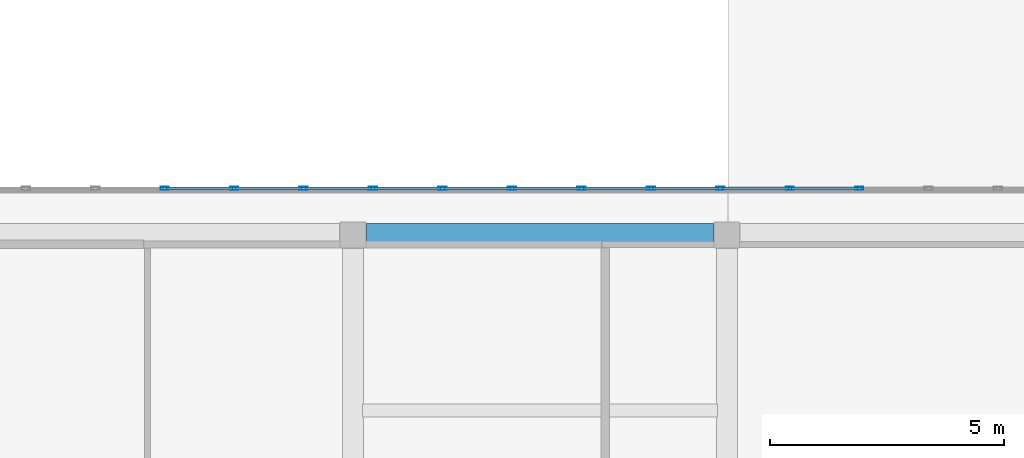
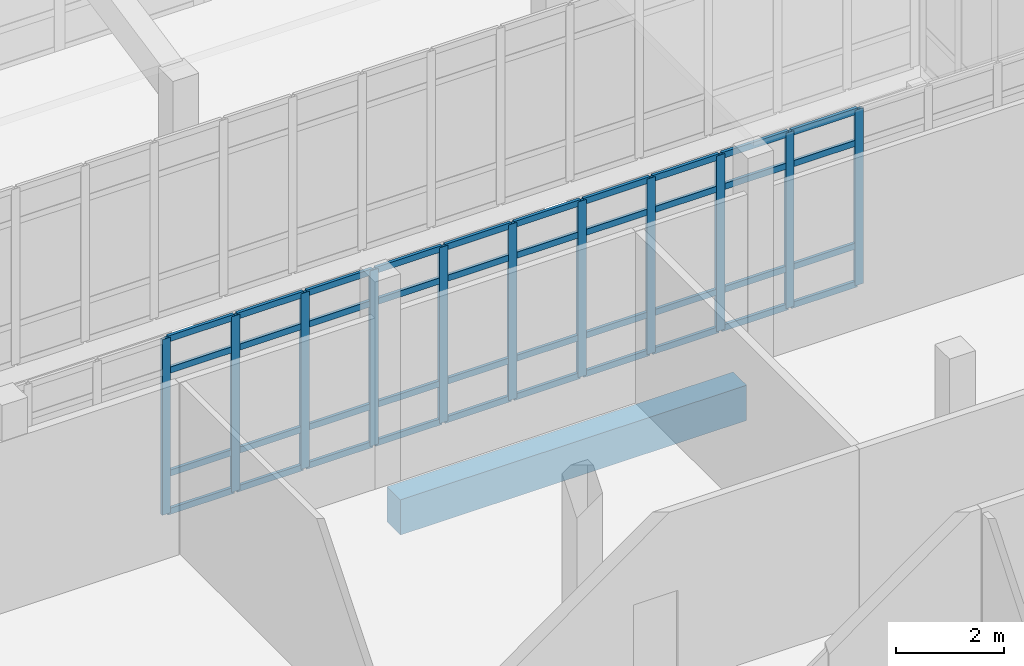
# One storey, part 116 of 173: 51 members, 1 beam, 1 element without a shape of its own.
"""IFC4 building model written with IfcOpenShell, lengths in metres."""

from ifc_helpers import new_model, si_unit, direction, frame, origin, origin_2d, place, context, subcontext, project, spatial, rectangle, hollow_rectangle, extrude, material, layer, layer_set, material_profile, profile_set, type_object, element, aggregate, save


model = new_model("IFC4")

# Units and contexts
model_context = context("Model", 3, precision=1e-05, world=origin(), true_north=direction((0.0, 1.0)))
body_context = subcontext(model_context, "Body", "Model", "MODEL_VIEW")
ifc_project = project(units=[si_unit("LENGTHUNIT", "METRE"), si_unit("AREAUNIT", "SQUARE_METRE"), si_unit("VOLUMEUNIT", "CUBIC_METRE"), si_unit("PLANEANGLEUNIT", "RADIAN"), si_unit("MASSUNIT", "GRAM", prefix="KILO")], contexts=[model_context])

# Site, building, storey
site_placement = place(None, origin())
site = spatial("IfcSite", under=ifc_project, at=site_placement, CompositionType="ELEMENT")
building_placement = place(site_placement, origin())
building = spatial("IfcBuilding", under=site, at=building_placement, Name="Mawjan Specialist Oncology Clinic", CompositionType="ELEMENT")
storey_placement = place(building_placement, origin())
storey = spatial("IfcBuildingStorey", under=building, at=storey_placement, Name="L00", CompositionType="ELEMENT", Elevation=0.0)

# Beam
ifc_material_1 = material(Name="Concrete C45/55", Category="concrete")
ifc_material_profile_1 = material_profile(ifc_material_1, rectangle(XDim=0.5, YDim=0.800048828125, at=origin_2d()), Name="RC BM 500x800", Category="concrete")
ifc_profile_set_1 = profile_set([ifc_material_profile_1], Name="Concrete C45/55")
beam_type = type_object("IfcBeamType", Name="BM-500x800", PredefinedType="BEAM", material=ifc_profile_set_1)
beam_placement = place(storey_placement, frame((132.284912109375, 98.300048828125, -0.85009765625), z_axis=(1.0, 0.0, 0.0), x_axis=(0.0, 1.0, 0.0)))
element("IfcBeam", 1, at=beam_placement, inside=storey, type_object=beam_type, Name="L00 Collector Beam BM-L00-0079", PredefinedType="BEAM", context=body_context, shape_type="SweptSolid", body=[
    extrude(rectangle(XDim=0.5, YDim=0.800048828125, at=origin_2d()), origin(), (0.0, 0.0, 1.0), 7.43017578125),
])

# Curtain wall, members
ifc_material_2 = material(Name="Unitised spectrally selective aluminium curtain wall", Category="aluminium")
ifc_layer = layer(ifc_material_2, 0.179931640625, Name="Unitised spectrally selective aluminium curtain wall", Category="aluminium")
ifc_layer_set = layer_set([ifc_layer], Name="Unitised spectrally selective aluminium curtain wall")
curtain_wall_type = type_object("IfcCurtainWallType", Name="CW-33", PredefinedType="NOTDEFINED", material=ifc_layer_set)
curtain_wall_placement = place(storey_placement, origin())
curtain_wall = element("IfcCurtainWall", 2, at=curtain_wall_placement, inside=storey, type_object=curtain_wall_type, Name="L00 Unitised Curtain Wall CW-L00-074", PredefinedType="NOTDEFINED")
ifc_material_3 = material(Name="Thermally broken aluminium 6063-T6", Category="aluminium")
ifc_material_profile_2 = material_profile(ifc_material_3, hollow_rectangle(XDim=0.06494140625, YDim=0.179931640625, WallThickness=0.00390625, at=origin_2d()), Name="ALU MULLION 180x65x4", Category="aluminium")
ifc_profile_set_2 = profile_set([ifc_material_profile_2], Name="Thermally broken aluminium 6063-T6")
member_type_1 = type_object("IfcMemberType", Name="CW-M180", PredefinedType="MULLION", material=ifc_profile_set_2)
member_1_placement = place(storey_placement, frame((127.970947265625, 99.300048828125, 0.0), z_axis=(0.0, 0.0, 1.0), x_axis=(0.0, 1.0, 0.0)))
member_1 = element("IfcMember", 3, at=member_1_placement, type_object=member_type_1, Name="CW-33 mullion 11", PredefinedType="MULLION", context=body_context, shape_type="SweptSolid", body=[
    extrude(hollow_rectangle(XDim=0.06494140625, YDim=0.179931640625, WallThickness=0.00390625, at=origin_2d()), origin(), (0.0, 0.0, 1.0), 3.985107421875),
])
member_2_placement = place(storey_placement, frame((129.45703125, 99.300048828125, 0.0), z_axis=(0.0, 0.0, 1.0), x_axis=(0.0, 1.0, 0.0)))
member_2 = element("IfcMember", 4, at=member_2_placement, type_object=member_type_1, Name="CW-33 mullion 12", PredefinedType="MULLION", context=body_context, shape_type="SweptSolid", body=[
    extrude(hollow_rectangle(XDim=0.06494140625, YDim=0.179931640625, WallThickness=0.00390625, at=origin_2d()), origin(), (0.0, 0.0, 1.0), 3.985107421875),
])
member_3_placement = place(storey_placement, frame((130.943115234375, 99.300048828125, 0.0), z_axis=(0.0, 0.0, 1.0), x_axis=(0.0, 1.0, 0.0)))
member_3 = element("IfcMember", 5, at=member_3_placement, type_object=member_type_1, Name="CW-33 mullion 13", PredefinedType="MULLION", context=body_context, shape_type="SweptSolid", body=[
    extrude(hollow_rectangle(XDim=0.06494140625, YDim=0.179931640625, WallThickness=0.00390625, at=origin_2d()), origin(), (0.0, 0.0, 1.0), 3.985107421875),
])
member_4_placement = place(storey_placement, frame((132.42919921875, 99.300048828125, 0.0), z_axis=(0.0, 0.0, 1.0), x_axis=(0.0, 1.0, 0.0)))
member_4 = element("IfcMember", 6, at=member_4_placement, type_object=member_type_1, Name="CW-33 mullion 14", PredefinedType="MULLION", context=body_context, shape_type="SweptSolid", body=[
    extrude(hollow_rectangle(XDim=0.06494140625, YDim=0.179931640625, WallThickness=0.00390625, at=origin_2d()), origin(), (0.0, 0.0, 1.0), 3.985107421875),
])
member_5_placement = place(storey_placement, frame((133.915283203125, 99.300048828125, 0.0), z_axis=(0.0, 0.0, 1.0), x_axis=(0.0, 1.0, 0.0)))
member_5 = element("IfcMember", 7, at=member_5_placement, type_object=member_type_1, Name="CW-33 mullion 15", PredefinedType="MULLION", context=body_context, shape_type="SweptSolid", body=[
    extrude(hollow_rectangle(XDim=0.06494140625, YDim=0.179931640625, WallThickness=0.00390625, at=origin_2d()), origin(), (0.0, 0.0, 1.0), 3.985107421875),
])
member_6_placement = place(storey_placement, frame((135.4013671875, 99.300048828125, 0.0), z_axis=(0.0, 0.0, 1.0), x_axis=(0.0, 1.0, 0.0)))
member_6 = element("IfcMember", 8, at=member_6_placement, type_object=member_type_1, Name="CW-33 mullion 16", PredefinedType="MULLION", context=body_context, shape_type="SweptSolid", body=[
    extrude(hollow_rectangle(XDim=0.06494140625, YDim=0.179931640625, WallThickness=0.00390625, at=origin_2d()), origin(), (0.0, 0.0, 1.0), 3.985107421875),
])
member_7_placement = place(storey_placement, frame((136.887451171875, 99.300048828125, 0.0), z_axis=(0.0, 0.0, 1.0), x_axis=(0.0, 1.0, 0.0)))
member_7 = element("IfcMember", 9, at=member_7_placement, type_object=member_type_1, Name="CW-33 mullion 17", PredefinedType="MULLION", context=body_context, shape_type="SweptSolid", body=[
    extrude(hollow_rectangle(XDim=0.06494140625, YDim=0.179931640625, WallThickness=0.00390625, at=origin_2d()), origin(), (0.0, 0.0, 1.0), 3.985107421875),
])
member_8_placement = place(storey_placement, frame((138.37353515625, 99.300048828125, 0.0), z_axis=(0.0, 0.0, 1.0), x_axis=(0.0, 1.0, 0.0)))
member_8 = element("IfcMember", 10, at=member_8_placement, type_object=member_type_1, Name="CW-33 mullion 18", PredefinedType="MULLION", context=body_context, shape_type="SweptSolid", body=[
    extrude(hollow_rectangle(XDim=0.06494140625, YDim=0.179931640625, WallThickness=0.00390625, at=origin_2d()), origin(), (0.0, 0.0, 1.0), 3.985107421875),
])
member_9_placement = place(storey_placement, frame((139.859619140625, 99.300048828125, 0.0), z_axis=(0.0, 0.0, 1.0), x_axis=(0.0, 1.0, 0.0)))
member_9 = element("IfcMember", 11, at=member_9_placement, type_object=member_type_1, Name="CW-33 mullion 19", PredefinedType="MULLION", context=body_context, shape_type="SweptSolid", body=[
    extrude(hollow_rectangle(XDim=0.06494140625, YDim=0.179931640625, WallThickness=0.00390625, at=origin_2d()), origin(), (0.0, 0.0, 1.0), 3.985107421875),
])
member_10_placement = place(storey_placement, frame((141.345703125, 99.300048828125, 0.0), z_axis=(0.0, 0.0, 1.0), x_axis=(0.0, 1.0, 0.0)))
member_10 = element("IfcMember", 12, at=member_10_placement, type_object=member_type_1, Name="CW-33 mullion 20", PredefinedType="MULLION", context=body_context, shape_type="SweptSolid", body=[
    extrude(hollow_rectangle(XDim=0.06494140625, YDim=0.179931640625, WallThickness=0.00390625, at=origin_2d()), origin(), (0.0, 0.0, 1.0), 3.985107421875),
])
member_11_placement = place(storey_placement, frame((142.831787109375, 99.300048828125, 0.0), z_axis=(0.0, 0.0, 1.0), x_axis=(0.0, 1.0, 0.0)))
member_11 = element("IfcMember", 13, at=member_11_placement, type_object=member_type_1, Name="CW-33 mullion 21", PredefinedType="MULLION", context=body_context, shape_type="SweptSolid", body=[
    extrude(hollow_rectangle(XDim=0.06494140625, YDim=0.179931640625, WallThickness=0.00390625, at=origin_2d()), origin(), (0.0, 0.0, 1.0), 3.985107421875),
])
ifc_material_4 = material(Name="Thermally broken aluminium 6063-T6", Category="aluminium")
ifc_material_profile_3 = material_profile(ifc_material_4, hollow_rectangle(XDim=0.06494140625, YDim=0.139892578125, WallThickness=0.00390625, at=origin_2d()), Name="ALU TRANSOM 140x65x4", Category="aluminium")
ifc_profile_set_3 = profile_set([ifc_material_profile_3], Name="Thermally broken aluminium 6063-T6")
member_type_2 = type_object("IfcMemberType", Name="CW-T140", PredefinedType="USERDEFINED", material=ifc_profile_set_3)
member_12_placement = place(storey_placement, frame((128.00341796875, 99.300048828125, 0.032470703125), z_axis=(1.0, 0.0, 0.0), x_axis=(0.0, 1.0, 0.0)))
member_12 = element("IfcMember", 14, at=member_12_placement, type_object=member_type_2, Name="CW-33 transom 11.1", ObjectType="TRANSOM", PredefinedType="USERDEFINED", context=body_context, shape_type="SweptSolid", body=[
    extrude(hollow_rectangle(XDim=0.06494140625, YDim=0.139892578125, WallThickness=0.00390625, at=origin_2d()), origin(), (0.0, 0.0, 1.0), 1.421142578125),
])
member_13_placement = place(storey_placement, frame((128.00341796875, 99.300048828125, 0.89990234375), z_axis=(1.0, 0.0, 0.0), x_axis=(0.0, 1.0, 0.0)))
member_13 = element("IfcMember", 15, at=member_13_placement, type_object=member_type_2, Name="CW-33 transom 11.2", ObjectType="TRANSOM", PredefinedType="USERDEFINED", context=body_context, shape_type="SweptSolid", body=[
    extrude(hollow_rectangle(XDim=0.06494140625, YDim=0.139892578125, WallThickness=0.00390625, at=origin_2d()), origin(), (0.0, 0.0, 1.0), 1.421142578125),
])
member_14_placement = place(storey_placement, frame((128.00341796875, 99.300048828125, 3.235107421875), z_axis=(1.0, 0.0, 0.0), x_axis=(0.0, 1.0, 0.0)))
member_14 = element("IfcMember", 16, at=member_14_placement, type_object=member_type_2, Name="CW-33 transom 11.3", ObjectType="TRANSOM", PredefinedType="USERDEFINED", context=body_context, shape_type="SweptSolid", body=[
    extrude(hollow_rectangle(XDim=0.06494140625, YDim=0.139892578125, WallThickness=0.00390625, at=origin_2d()), origin(), (0.0, 0.0, 1.0), 1.421142578125),
])
member_15_placement = place(storey_placement, frame((128.00341796875, 99.300048828125, 3.952392578125), z_axis=(1.0, 0.0, 0.0), x_axis=(0.0, 1.0, 0.0)))
member_15 = element("IfcMember", 17, at=member_15_placement, type_object=member_type_2, Name="CW-33 transom 11.4", ObjectType="TRANSOM", PredefinedType="USERDEFINED", context=body_context, shape_type="SweptSolid", body=[
    extrude(hollow_rectangle(XDim=0.06494140625, YDim=0.139892578125, WallThickness=0.00390625, at=origin_2d()), origin(), (0.0, 0.0, 1.0), 1.421142578125),
])
member_16_placement = place(storey_placement, frame((129.489501953125, 99.300048828125, 0.032470703125), z_axis=(1.0, 0.0, 0.0), x_axis=(0.0, 1.0, 0.0)))
member_16 = element("IfcMember", 18, at=member_16_placement, type_object=member_type_2, Name="CW-33 transom 12.1", ObjectType="TRANSOM", PredefinedType="USERDEFINED", context=body_context, shape_type="SweptSolid", body=[
    extrude(hollow_rectangle(XDim=0.06494140625, YDim=0.139892578125, WallThickness=0.00390625, at=origin_2d()), origin(), (0.0, 0.0, 1.0), 1.421142578125),
])
member_17_placement = place(storey_placement, frame((129.489501953125, 99.300048828125, 0.89990234375), z_axis=(1.0, 0.0, 0.0), x_axis=(0.0, 1.0, 0.0)))
member_17 = element("IfcMember", 19, at=member_17_placement, type_object=member_type_2, Name="CW-33 transom 12.2", ObjectType="TRANSOM", PredefinedType="USERDEFINED", context=body_context, shape_type="SweptSolid", body=[
    extrude(hollow_rectangle(XDim=0.06494140625, YDim=0.139892578125, WallThickness=0.00390625, at=origin_2d()), origin(), (0.0, 0.0, 1.0), 1.421142578125),
])
member_18_placement = place(storey_placement, frame((129.489501953125, 99.300048828125, 3.235107421875), z_axis=(1.0, 0.0, 0.0), x_axis=(0.0, 1.0, 0.0)))
member_18 = element("IfcMember", 20, at=member_18_placement, type_object=member_type_2, Name="CW-33 transom 12.3", ObjectType="TRANSOM", PredefinedType="USERDEFINED", context=body_context, shape_type="SweptSolid", body=[
    extrude(hollow_rectangle(XDim=0.06494140625, YDim=0.139892578125, WallThickness=0.00390625, at=origin_2d()), origin(), (0.0, 0.0, 1.0), 1.421142578125),
])
member_19_placement = place(storey_placement, frame((129.489501953125, 99.300048828125, 3.952392578125), z_axis=(1.0, 0.0, 0.0), x_axis=(0.0, 1.0, 0.0)))
member_19 = element("IfcMember", 21, at=member_19_placement, type_object=member_type_2, Name="CW-33 transom 12.4", ObjectType="TRANSOM", PredefinedType="USERDEFINED", context=body_context, shape_type="SweptSolid", body=[
    extrude(hollow_rectangle(XDim=0.06494140625, YDim=0.139892578125, WallThickness=0.00390625, at=origin_2d()), origin(), (0.0, 0.0, 1.0), 1.421142578125),
])
member_20_placement = place(storey_placement, frame((130.9755859375, 99.300048828125, 0.032470703125), z_axis=(1.0, 0.0, 0.0), x_axis=(0.0, 1.0, 0.0)))
member_20 = element("IfcMember", 22, at=member_20_placement, type_object=member_type_2, Name="CW-33 transom 13.1", ObjectType="TRANSOM", PredefinedType="USERDEFINED", context=body_context, shape_type="SweptSolid", body=[
    extrude(hollow_rectangle(XDim=0.06494140625, YDim=0.139892578125, WallThickness=0.00390625, at=origin_2d()), origin(), (0.0, 0.0, 1.0), 1.421142578125),
])
member_21_placement = place(storey_placement, frame((130.9755859375, 99.300048828125, 0.89990234375), z_axis=(1.0, 0.0, 0.0), x_axis=(0.0, 1.0, 0.0)))
member_21 = element("IfcMember", 23, at=member_21_placement, type_object=member_type_2, Name="CW-33 transom 13.2", ObjectType="TRANSOM", PredefinedType="USERDEFINED", context=body_context, shape_type="SweptSolid", body=[
    extrude(hollow_rectangle(XDim=0.06494140625, YDim=0.139892578125, WallThickness=0.00390625, at=origin_2d()), origin(), (0.0, 0.0, 1.0), 1.421142578125),
])
member_22_placement = place(storey_placement, frame((130.9755859375, 99.300048828125, 3.235107421875), z_axis=(1.0, 0.0, 0.0), x_axis=(0.0, 1.0, 0.0)))
member_22 = element("IfcMember", 24, at=member_22_placement, type_object=member_type_2, Name="CW-33 transom 13.3", ObjectType="TRANSOM", PredefinedType="USERDEFINED", context=body_context, shape_type="SweptSolid", body=[
    extrude(hollow_rectangle(XDim=0.06494140625, YDim=0.139892578125, WallThickness=0.00390625, at=origin_2d()), origin(), (0.0, 0.0, 1.0), 1.421142578125),
])
member_23_placement = place(storey_placement, frame((130.9755859375, 99.300048828125, 3.952392578125), z_axis=(1.0, 0.0, 0.0), x_axis=(0.0, 1.0, 0.0)))
member_23 = element("IfcMember", 25, at=member_23_placement, type_object=member_type_2, Name="CW-33 transom 13.4", ObjectType="TRANSOM", PredefinedType="USERDEFINED", context=body_context, shape_type="SweptSolid", body=[
    extrude(hollow_rectangle(XDim=0.06494140625, YDim=0.139892578125, WallThickness=0.00390625, at=origin_2d()), origin(), (0.0, 0.0, 1.0), 1.421142578125),
])
member_24_placement = place(storey_placement, frame((132.461669921875, 99.300048828125, 0.032470703125), z_axis=(1.0, 0.0, 0.0), x_axis=(0.0, 1.0, 0.0)))
member_24 = element("IfcMember", 26, at=member_24_placement, type_object=member_type_2, Name="CW-33 transom 14.1", ObjectType="TRANSOM", PredefinedType="USERDEFINED", context=body_context, shape_type="SweptSolid", body=[
    extrude(hollow_rectangle(XDim=0.06494140625, YDim=0.139892578125, WallThickness=0.00390625, at=origin_2d()), origin(), (0.0, 0.0, 1.0), 1.421142578125),
])
member_25_placement = place(storey_placement, frame((132.461669921875, 99.300048828125, 0.89990234375), z_axis=(1.0, 0.0, 0.0), x_axis=(0.0, 1.0, 0.0)))
member_25 = element("IfcMember", 27, at=member_25_placement, type_object=member_type_2, Name="CW-33 transom 14.2", ObjectType="TRANSOM", PredefinedType="USERDEFINED", context=body_context, shape_type="SweptSolid", body=[
    extrude(hollow_rectangle(XDim=0.06494140625, YDim=0.139892578125, WallThickness=0.00390625, at=origin_2d()), origin(), (0.0, 0.0, 1.0), 1.421142578125),
])
member_26_placement = place(storey_placement, frame((132.461669921875, 99.300048828125, 3.235107421875), z_axis=(1.0, 0.0, 0.0), x_axis=(0.0, 1.0, 0.0)))
member_26 = element("IfcMember", 28, at=member_26_placement, type_object=member_type_2, Name="CW-33 transom 14.3", ObjectType="TRANSOM", PredefinedType="USERDEFINED", context=body_context, shape_type="SweptSolid", body=[
    extrude(hollow_rectangle(XDim=0.06494140625, YDim=0.139892578125, WallThickness=0.00390625, at=origin_2d()), origin(), (0.0, 0.0, 1.0), 1.421142578125),
])
member_27_placement = place(storey_placement, frame((132.461669921875, 99.300048828125, 3.952392578125), z_axis=(1.0, 0.0, 0.0), x_axis=(0.0, 1.0, 0.0)))
member_27 = element("IfcMember", 29, at=member_27_placement, type_object=member_type_2, Name="CW-33 transom 14.4", ObjectType="TRANSOM", PredefinedType="USERDEFINED", context=body_context, shape_type="SweptSolid", body=[
    extrude(hollow_rectangle(XDim=0.06494140625, YDim=0.139892578125, WallThickness=0.00390625, at=origin_2d()), origin(), (0.0, 0.0, 1.0), 1.421142578125),
])
member_28_placement = place(storey_placement, frame((133.94775390625, 99.300048828125, 0.032470703125), z_axis=(1.0, 0.0, 0.0), x_axis=(0.0, 1.0, 0.0)))
member_28 = element("IfcMember", 30, at=member_28_placement, type_object=member_type_2, Name="CW-33 transom 15.1", ObjectType="TRANSOM", PredefinedType="USERDEFINED", context=body_context, shape_type="SweptSolid", body=[
    extrude(hollow_rectangle(XDim=0.06494140625, YDim=0.139892578125, WallThickness=0.00390625, at=origin_2d()), origin(), (0.0, 0.0, 1.0), 1.421142578125),
])
member_29_placement = place(storey_placement, frame((133.94775390625, 99.300048828125, 0.89990234375), z_axis=(1.0, 0.0, 0.0), x_axis=(0.0, 1.0, 0.0)))
member_29 = element("IfcMember", 31, at=member_29_placement, type_object=member_type_2, Name="CW-33 transom 15.2", ObjectType="TRANSOM", PredefinedType="USERDEFINED", context=body_context, shape_type="SweptSolid", body=[
    extrude(hollow_rectangle(XDim=0.06494140625, YDim=0.139892578125, WallThickness=0.00390625, at=origin_2d()), origin(), (0.0, 0.0, 1.0), 1.421142578125),
])
member_30_placement = place(storey_placement, frame((133.94775390625, 99.300048828125, 3.235107421875), z_axis=(1.0, 0.0, 0.0), x_axis=(0.0, 1.0, 0.0)))
member_30 = element("IfcMember", 32, at=member_30_placement, type_object=member_type_2, Name="CW-33 transom 15.3", ObjectType="TRANSOM", PredefinedType="USERDEFINED", context=body_context, shape_type="SweptSolid", body=[
    extrude(hollow_rectangle(XDim=0.06494140625, YDim=0.139892578125, WallThickness=0.00390625, at=origin_2d()), origin(), (0.0, 0.0, 1.0), 1.421142578125),
])
member_31_placement = place(storey_placement, frame((133.94775390625, 99.300048828125, 3.952392578125), z_axis=(1.0, 0.0, 0.0), x_axis=(0.0, 1.0, 0.0)))
member_31 = element("IfcMember", 33, at=member_31_placement, type_object=member_type_2, Name="CW-33 transom 15.4", ObjectType="TRANSOM", PredefinedType="USERDEFINED", context=body_context, shape_type="SweptSolid", body=[
    extrude(hollow_rectangle(XDim=0.06494140625, YDim=0.139892578125, WallThickness=0.00390625, at=origin_2d()), origin(), (0.0, 0.0, 1.0), 1.421142578125),
])
member_32_placement = place(storey_placement, frame((135.433837890625, 99.300048828125, 0.032470703125), z_axis=(1.0, 0.0, 0.0), x_axis=(0.0, 1.0, 0.0)))
member_32 = element("IfcMember", 34, at=member_32_placement, type_object=member_type_2, Name="CW-33 transom 16.1", ObjectType="TRANSOM", PredefinedType="USERDEFINED", context=body_context, shape_type="SweptSolid", body=[
    extrude(hollow_rectangle(XDim=0.06494140625, YDim=0.139892578125, WallThickness=0.00390625, at=origin_2d()), origin(), (0.0, 0.0, 1.0), 1.421142578125),
])
member_33_placement = place(storey_placement, frame((135.433837890625, 99.300048828125, 0.89990234375), z_axis=(1.0, 0.0, 0.0), x_axis=(0.0, 1.0, 0.0)))
member_33 = element("IfcMember", 35, at=member_33_placement, type_object=member_type_2, Name="CW-33 transom 16.2", ObjectType="TRANSOM", PredefinedType="USERDEFINED", context=body_context, shape_type="SweptSolid", body=[
    extrude(hollow_rectangle(XDim=0.06494140625, YDim=0.139892578125, WallThickness=0.00390625, at=origin_2d()), origin(), (0.0, 0.0, 1.0), 1.421142578125),
])
member_34_placement = place(storey_placement, frame((135.433837890625, 99.300048828125, 3.235107421875), z_axis=(1.0, 0.0, 0.0), x_axis=(0.0, 1.0, 0.0)))
member_34 = element("IfcMember", 36, at=member_34_placement, type_object=member_type_2, Name="CW-33 transom 16.3", ObjectType="TRANSOM", PredefinedType="USERDEFINED", context=body_context, shape_type="SweptSolid", body=[
    extrude(hollow_rectangle(XDim=0.06494140625, YDim=0.139892578125, WallThickness=0.00390625, at=origin_2d()), origin(), (0.0, 0.0, 1.0), 1.421142578125),
])
member_35_placement = place(storey_placement, frame((135.433837890625, 99.300048828125, 3.952392578125), z_axis=(1.0, 0.0, 0.0), x_axis=(0.0, 1.0, 0.0)))
member_35 = element("IfcMember", 37, at=member_35_placement, type_object=member_type_2, Name="CW-33 transom 16.4", ObjectType="TRANSOM", PredefinedType="USERDEFINED", context=body_context, shape_type="SweptSolid", body=[
    extrude(hollow_rectangle(XDim=0.06494140625, YDim=0.139892578125, WallThickness=0.00390625, at=origin_2d()), origin(), (0.0, 0.0, 1.0), 1.421142578125),
])
member_36_placement = place(storey_placement, frame((136.919921875, 99.300048828125, 0.032470703125), z_axis=(1.0, 0.0, 0.0), x_axis=(0.0, 1.0, 0.0)))
member_36 = element("IfcMember", 38, at=member_36_placement, type_object=member_type_2, Name="CW-33 transom 17.1", ObjectType="TRANSOM", PredefinedType="USERDEFINED", context=body_context, shape_type="SweptSolid", body=[
    extrude(hollow_rectangle(XDim=0.06494140625, YDim=0.139892578125, WallThickness=0.00390625, at=origin_2d()), origin(), (0.0, 0.0, 1.0), 1.421142578125),
])
member_37_placement = place(storey_placement, frame((136.919921875, 99.300048828125, 0.89990234375), z_axis=(1.0, 0.0, 0.0), x_axis=(0.0, 1.0, 0.0)))
member_37 = element("IfcMember", 39, at=member_37_placement, type_object=member_type_2, Name="CW-33 transom 17.2", ObjectType="TRANSOM", PredefinedType="USERDEFINED", context=body_context, shape_type="SweptSolid", body=[
    extrude(hollow_rectangle(XDim=0.06494140625, YDim=0.139892578125, WallThickness=0.00390625, at=origin_2d()), origin(), (0.0, 0.0, 1.0), 1.421142578125),
])
member_38_placement = place(storey_placement, frame((136.919921875, 99.300048828125, 3.235107421875), z_axis=(1.0, 0.0, 0.0), x_axis=(0.0, 1.0, 0.0)))
member_38 = element("IfcMember", 40, at=member_38_placement, type_object=member_type_2, Name="CW-33 transom 17.3", ObjectType="TRANSOM", PredefinedType="USERDEFINED", context=body_context, shape_type="SweptSolid", body=[
    extrude(hollow_rectangle(XDim=0.06494140625, YDim=0.139892578125, WallThickness=0.00390625, at=origin_2d()), origin(), (0.0, 0.0, 1.0), 1.421142578125),
])
member_39_placement = place(storey_placement, frame((136.919921875, 99.300048828125, 3.952392578125), z_axis=(1.0, 0.0, 0.0), x_axis=(0.0, 1.0, 0.0)))
member_39 = element("IfcMember", 41, at=member_39_placement, type_object=member_type_2, Name="CW-33 transom 17.4", ObjectType="TRANSOM", PredefinedType="USERDEFINED", context=body_context, shape_type="SweptSolid", body=[
    extrude(hollow_rectangle(XDim=0.06494140625, YDim=0.139892578125, WallThickness=0.00390625, at=origin_2d()), origin(), (0.0, 0.0, 1.0), 1.421142578125),
])
member_40_placement = place(storey_placement, frame((138.406005859375, 99.300048828125, 0.032470703125), z_axis=(1.0, 0.0, 0.0), x_axis=(0.0, 1.0, 0.0)))
member_40 = element("IfcMember", 42, at=member_40_placement, type_object=member_type_2, Name="CW-33 transom 18.1", ObjectType="TRANSOM", PredefinedType="USERDEFINED", context=body_context, shape_type="SweptSolid", body=[
    extrude(hollow_rectangle(XDim=0.06494140625, YDim=0.139892578125, WallThickness=0.00390625, at=origin_2d()), origin(), (0.0, 0.0, 1.0), 1.421142578125),
])
member_41_placement = place(storey_placement, frame((138.406005859375, 99.300048828125, 0.89990234375), z_axis=(1.0, 0.0, 0.0), x_axis=(0.0, 1.0, 0.0)))
member_41 = element("IfcMember", 43, at=member_41_placement, type_object=member_type_2, Name="CW-33 transom 18.2", ObjectType="TRANSOM", PredefinedType="USERDEFINED", context=body_context, shape_type="SweptSolid", body=[
    extrude(hollow_rectangle(XDim=0.06494140625, YDim=0.139892578125, WallThickness=0.00390625, at=origin_2d()), origin(), (0.0, 0.0, 1.0), 1.421142578125),
])
member_42_placement = place(storey_placement, frame((138.406005859375, 99.300048828125, 3.235107421875), z_axis=(1.0, 0.0, 0.0), x_axis=(0.0, 1.0, 0.0)))
member_42 = element("IfcMember", 44, at=member_42_placement, type_object=member_type_2, Name="CW-33 transom 18.3", ObjectType="TRANSOM", PredefinedType="USERDEFINED", context=body_context, shape_type="SweptSolid", body=[
    extrude(hollow_rectangle(XDim=0.06494140625, YDim=0.139892578125, WallThickness=0.00390625, at=origin_2d()), origin(), (0.0, 0.0, 1.0), 1.421142578125),
])
member_43_placement = place(storey_placement, frame((138.406005859375, 99.300048828125, 3.952392578125), z_axis=(1.0, 0.0, 0.0), x_axis=(0.0, 1.0, 0.0)))
member_43 = element("IfcMember", 45, at=member_43_placement, type_object=member_type_2, Name="CW-33 transom 18.4", ObjectType="TRANSOM", PredefinedType="USERDEFINED", context=body_context, shape_type="SweptSolid", body=[
    extrude(hollow_rectangle(XDim=0.06494140625, YDim=0.139892578125, WallThickness=0.00390625, at=origin_2d()), origin(), (0.0, 0.0, 1.0), 1.421142578125),
])
member_44_placement = place(storey_placement, frame((139.89208984375, 99.300048828125, 0.032470703125), z_axis=(1.0, 0.0, 0.0), x_axis=(0.0, 1.0, 0.0)))
member_44 = element("IfcMember", 46, at=member_44_placement, type_object=member_type_2, Name="CW-33 transom 19.1", ObjectType="TRANSOM", PredefinedType="USERDEFINED", context=body_context, shape_type="SweptSolid", body=[
    extrude(hollow_rectangle(XDim=0.06494140625, YDim=0.139892578125, WallThickness=0.00390625, at=origin_2d()), origin(), (0.0, 0.0, 1.0), 1.421142578125),
])
member_45_placement = place(storey_placement, frame((139.89208984375, 99.300048828125, 0.89990234375), z_axis=(1.0, 0.0, 0.0), x_axis=(0.0, 1.0, 0.0)))
member_45 = element("IfcMember", 47, at=member_45_placement, type_object=member_type_2, Name="CW-33 transom 19.2", ObjectType="TRANSOM", PredefinedType="USERDEFINED", context=body_context, shape_type="SweptSolid", body=[
    extrude(hollow_rectangle(XDim=0.06494140625, YDim=0.139892578125, WallThickness=0.00390625, at=origin_2d()), origin(), (0.0, 0.0, 1.0), 1.421142578125),
])
member_46_placement = place(storey_placement, frame((139.89208984375, 99.300048828125, 3.235107421875), z_axis=(1.0, 0.0, 0.0), x_axis=(0.0, 1.0, 0.0)))
member_46 = element("IfcMember", 48, at=member_46_placement, type_object=member_type_2, Name="CW-33 transom 19.3", ObjectType="TRANSOM", PredefinedType="USERDEFINED", context=body_context, shape_type="SweptSolid", body=[
    extrude(hollow_rectangle(XDim=0.06494140625, YDim=0.139892578125, WallThickness=0.00390625, at=origin_2d()), origin(), (0.0, 0.0, 1.0), 1.421142578125),
])
member_47_placement = place(storey_placement, frame((139.89208984375, 99.300048828125, 3.952392578125), z_axis=(1.0, 0.0, 0.0), x_axis=(0.0, 1.0, 0.0)))
member_47 = element("IfcMember", 49, at=member_47_placement, type_object=member_type_2, Name="CW-33 transom 19.4", ObjectType="TRANSOM", PredefinedType="USERDEFINED", context=body_context, shape_type="SweptSolid", body=[
    extrude(hollow_rectangle(XDim=0.06494140625, YDim=0.139892578125, WallThickness=0.00390625, at=origin_2d()), origin(), (0.0, 0.0, 1.0), 1.421142578125),
])
member_48_placement = place(storey_placement, frame((141.378173828125, 99.300048828125, 0.032470703125), z_axis=(1.0, 0.0, 0.0), x_axis=(0.0, 1.0, 0.0)))
member_48 = element("IfcMember", 50, at=member_48_placement, type_object=member_type_2, Name="CW-33 transom 20.1", ObjectType="TRANSOM", PredefinedType="USERDEFINED", context=body_context, shape_type="SweptSolid", body=[
    extrude(hollow_rectangle(XDim=0.06494140625, YDim=0.139892578125, WallThickness=0.00390625, at=origin_2d()), origin(), (0.0, 0.0, 1.0), 1.421142578125),
])
member_49_placement = place(storey_placement, frame((141.378173828125, 99.300048828125, 0.89990234375), z_axis=(1.0, 0.0, 0.0), x_axis=(0.0, 1.0, 0.0)))
member_49 = element("IfcMember", 51, at=member_49_placement, type_object=member_type_2, Name="CW-33 transom 20.2", ObjectType="TRANSOM", PredefinedType="USERDEFINED", context=body_context, shape_type="SweptSolid", body=[
    extrude(hollow_rectangle(XDim=0.06494140625, YDim=0.139892578125, WallThickness=0.00390625, at=origin_2d()), origin(), (0.0, 0.0, 1.0), 1.421142578125),
])
member_50_placement = place(storey_placement, frame((141.378173828125, 99.300048828125, 3.235107421875), z_axis=(1.0, 0.0, 0.0), x_axis=(0.0, 1.0, 0.0)))
member_50 = element("IfcMember", 52, at=member_50_placement, type_object=member_type_2, Name="CW-33 transom 20.3", ObjectType="TRANSOM", PredefinedType="USERDEFINED", context=body_context, shape_type="SweptSolid", body=[
    extrude(hollow_rectangle(XDim=0.06494140625, YDim=0.139892578125, WallThickness=0.00390625, at=origin_2d()), origin(), (0.0, 0.0, 1.0), 1.421142578125),
])
member_51_placement = place(storey_placement, frame((141.378173828125, 99.300048828125, 3.952392578125), z_axis=(1.0, 0.0, 0.0), x_axis=(0.0, 1.0, 0.0)))
member_51 = element("IfcMember", 53, at=member_51_placement, type_object=member_type_2, Name="CW-33 transom 20.4", ObjectType="TRANSOM", PredefinedType="USERDEFINED", context=body_context, shape_type="SweptSolid", body=[
    extrude(hollow_rectangle(XDim=0.06494140625, YDim=0.139892578125, WallThickness=0.00390625, at=origin_2d()), origin(), (0.0, 0.0, 1.0), 1.421142578125),
])
aggregate(curtain_wall, [member_1, member_2, member_3, member_4, member_5, member_6, member_7, member_8, member_9, member_10, member_11, member_12, member_13, member_14, member_15, member_16, member_17, member_18, member_19, member_20, member_21, member_22, member_23, member_24, member_25, member_26, member_27, member_28, member_29, member_30, member_31, member_32, member_33, member_34, member_35, member_36, member_37, member_38, member_39, member_40, member_41, member_42, member_43, member_44, member_45, member_46, member_47, member_48, member_49, member_50, member_51])

save(model, "model.ifc")
